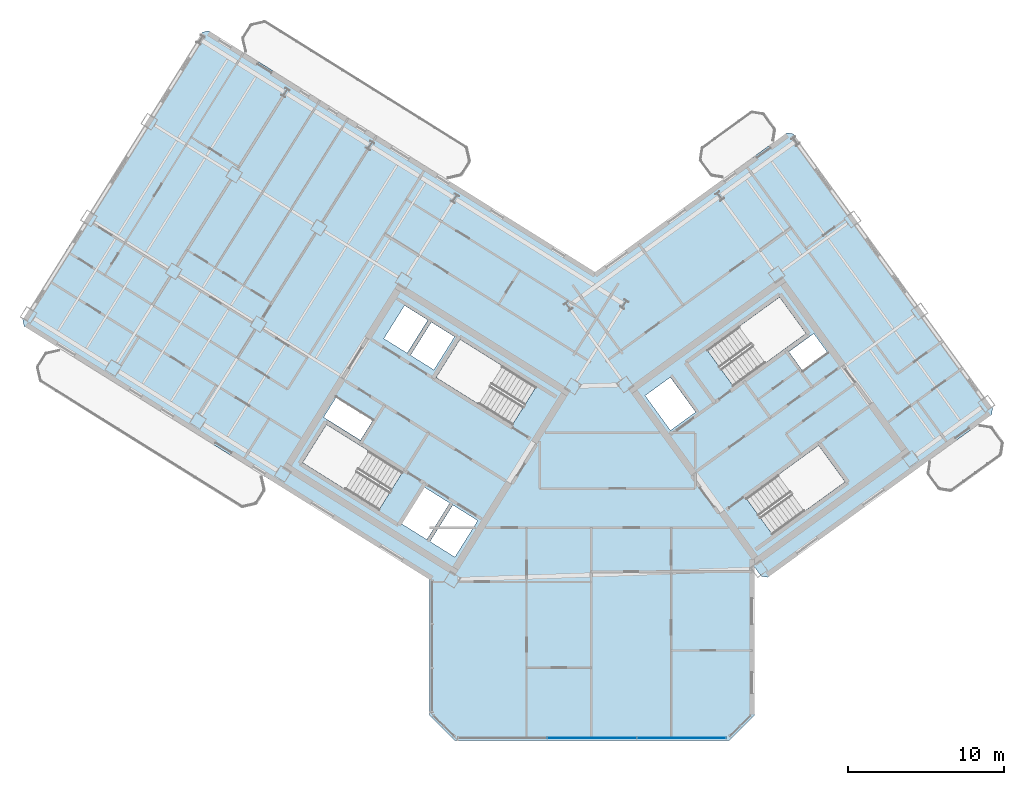
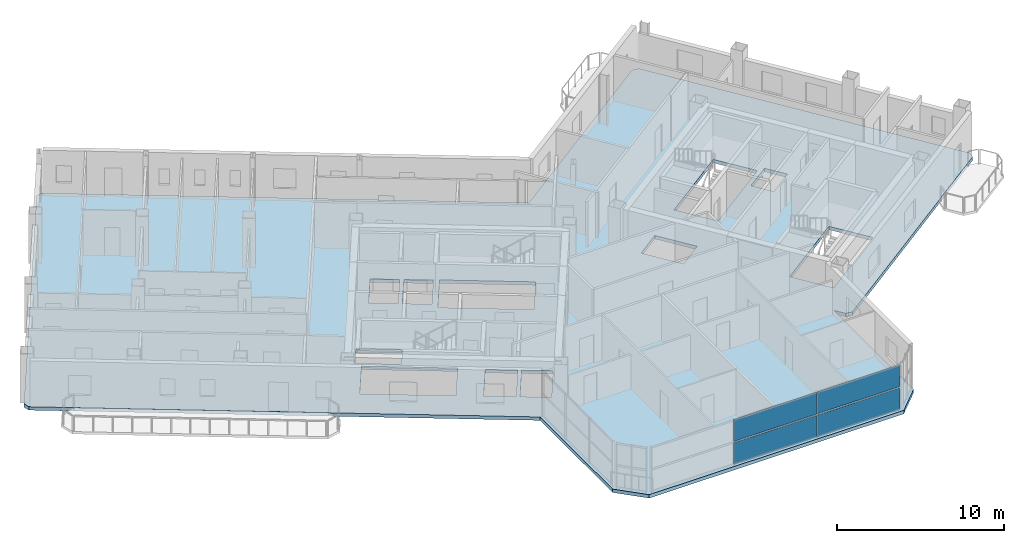
# One storey, part 9 of 20: 4 plates, 1 slab, 1 element without a shape of its own.
"""IFC4 building model written with IfcOpenShell, lengths in metres."""

from ifc_helpers import new_model, si_unit, direction, frame, origin, origin_2d, place, context, subcontext, project, spatial, polyline, rectangle, outline, extrude, source, transform, mapped, material, layer, layer_set, type_object, element, aggregate, save


model = new_model("IFC4")

# Units and contexts
model_context = context("Model", 3, precision=1e-05, world=origin(), true_north=direction((0.0, 1.0)))
body_context = subcontext(model_context, "Body", "Model", "MODEL_VIEW")
ifc_project = project(units=[si_unit("LENGTHUNIT", "METRE"), si_unit("AREAUNIT", "SQUARE_METRE"), si_unit("VOLUMEUNIT", "CUBIC_METRE"), si_unit("PLANEANGLEUNIT", "RADIAN"), si_unit("MASSUNIT", "GRAM", prefix="KILO")], contexts=[model_context])

# Site, building, storey
site_placement = place(None, origin())
site = spatial("IfcSite", under=ifc_project, at=site_placement, CompositionType="ELEMENT")
building_placement = place(site_placement, origin())
building = spatial("IfcBuilding", under=site, at=building_placement, Name="Tlacorven Tower", CompositionType="ELEMENT")
storey_placement = place(building_placement, frame((0.0, 0.0, 225.60009765625)))
storey = spatial("IfcBuildingStorey", under=building, at=storey_placement, Name="L57", CompositionType="ELEMENT", Elevation=225.60009765625)

# Slab
ifc_material_1 = material(Name="Concrete C40/50", Category="concrete")
ifc_layer_1 = layer(ifc_material_1, 0.25)
ifc_layer_set_1 = layer_set([ifc_layer_1], Name="Concrete C40/50")
slab_type = type_object("IfcSlabType", Name="SL-TWR-250", PredefinedType="FLOOR", material=ifc_layer_set_1)
slab_placement = place(storey_placement, frame((0.0, 0.0, -0.25)))
element("IfcSlab", 1, at=slab_placement, inside=storey, type_object=slab_type, Name="L57 Boomerang Tower Floor Slab", PredefinedType="FLOOR", context=body_context, shape_type="SweptSolid", body=[
    extrude(outline(polyline([(52.39990234375, 3.39990234375), (50.800048828125, 1.800048828125), (33.199951171875, 1.800048828125), (31.60009765625, 3.39990234375), (31.60009765625, 12.09423828125), (5.62451171875, 28.32568359375), (5.529052734375, 28.739013671875), (17.0390625, 47.15869140625), (17.452392578125, 47.254150390625), (42.19970703125, 31.790283203125), (54.481689453125, 40.713623046875), (54.90087890625, 40.647216796875), (67.66748046875, 23.075439453125), (67.60107421875, 22.656494140625), (53.265380859375, 12.24072265625), (52.846435546875, 12.30712890625), (52.39990234375, 12.921630859375), (52.39990234375, 3.39990234375)]), holes=[polyline([(29.865478515625, 18.979736328125), (24.9892578125, 22.02685546875), (23.463134765625, 19.58447265625), (28.33935546875, 16.537353515625), (29.865478515625, 18.979736328125)]), polyline([(38.4169921875, 24.4375), (33.540771484375, 27.484375), (32.0146484375, 25.0419921875), (36.890869140625, 21.9951171875), (38.4169921875, 24.4375)]), polyline([(51.05908203125, 24.481689453125), (55.7109375, 27.861572265625), (54.01806640625, 30.19140625), (49.3662109375, 26.811767578125), (51.05908203125, 24.481689453125)]), polyline([(53.56298828125, 14.978759765625), (58.21484375, 18.3583984375), (56.52197265625, 20.6884765625), (51.8701171875, 17.30859375), (53.56298828125, 14.978759765625)]), polyline([(34.682373046875, 15.87548828125), (33.088134765625, 16.871826171875), (31.62548828125, 14.531005859375), (33.2197265625, 13.534912109375), (34.682373046875, 15.87548828125)]), polyline([(32.884521484375, 16.9990234375), (31.2392578125, 18.02685546875), (29.77685546875, 15.686279296875), (31.421875, 14.658203125), (32.884521484375, 16.9990234375)]), polyline([(47.0234375, 21.648681640625), (48.6416015625, 22.82421875), (47.019287109375, 25.05712890625), (45.401123046875, 23.881591796875), (47.0234375, 21.648681640625)]), polyline([(33.197265625, 27.65185546875), (31.704833984375, 28.58447265625), (30.3798828125, 26.46435546875), (31.87255859375, 25.53173828125), (33.197265625, 27.65185546875)]), polyline([(31.484375, 28.722412109375), (29.99169921875, 29.655029296875), (28.6669921875, 27.534912109375), (30.159423828125, 26.602294921875), (31.484375, 28.722412109375)]), polyline([(27.96142578125, 22.2919921875), (25.603759765625, 23.76513671875), (24.80908203125, 22.4931640625), (27.16650390625, 21.02001953125), (27.96142578125, 22.2919921875)]), polyline([(55.490478515625, 25.4765625), (57.092529296875, 26.640380859375), (56.210693359375, 27.85400390625), (54.60888671875, 26.690185546875), (55.490478515625, 25.4765625)])]), origin(), (0.0, 0.0, 1.0), 0.25),
])

# Curtain wall, plates
ifc_material_2 = material(Name="Dark solar low-E double glazing in aluminium frame", Category="aluminium")
curtain_wall_type = type_object("IfcCurtainWallType", Name="CW-TWR-HIGH", PredefinedType="USERDEFINED", material=ifc_material_2)
curtain_wall_placement = place(storey_placement, origin())
curtain_wall = element("IfcCurtainWall", 2, at=curtain_wall_placement, inside=storey, type_object=curtain_wall_type, Name="L57 CW-TWR-HIGH Curtain Wall 258", ObjectType="UNITISED CURTAIN WALL", PredefinedType="USERDEFINED")
ifc_material_3 = material(Name="High-wind dark solar tempered low-E glazing", Category="glass")
ifc_layer_2 = layer(ifc_material_3, 0.028076171875)
ifc_layer_set_2 = layer_set([ifc_layer_2], Name="High-wind dark solar tempered low-E glazing")
plate_type = type_object("IfcPlateType", Name="CWP-03", PredefinedType="CURTAIN_PANEL", material=ifc_layer_set_2)
shared_shape_1 = source(origin(), body_context, "Body", "SweptSolid", [
    extrude(rectangle(XDim=5.683837890625, YDim=0.028076171875, at=origin_2d()), origin(), (0.0, 0.0, 1.0), 1.572998046875),
])
plate_1_placement = place(storey_placement, frame((47.74072265625, 1.9599609375, 0.05078125), z_axis=(0.0, 0.0, 1.0), x_axis=(-1.0, 0.0, 0.0)))
plate_1 = element("IfcPlate", 3, at=plate_1_placement, type_object=plate_type, Name="CW-L57-258 Glazing Panel 1", PredefinedType="CURTAIN_PANEL", context=body_context, shape_type="MappedRepresentation", body=[
    mapped(shared_shape_1, transform((0.0, 0.0, 0.0), scale=1.0)),
])
plate_2_placement = place(storey_placement, frame((47.74072265625, 1.9599609375, 1.72607421875), z_axis=(0.0, 0.0, 1.0), x_axis=(-1.0, 0.0, 0.0)))
plate_2 = element("IfcPlate", 4, at=plate_2_placement, type_object=plate_type, Name="CW-L57-258 Glazing Panel 2", PredefinedType="CURTAIN_PANEL", context=body_context, shape_type="MappedRepresentation", body=[
    mapped(shared_shape_1, transform((0.0, 0.0, 0.0), scale=1.0)),
])
shared_shape_2 = source(origin(), body_context, "Body", "SweptSolid", [
    extrude(rectangle(XDim=5.7138671875, YDim=0.028076171875, at=origin_2d()), origin(), (0.0, 0.0, 1.0), 1.572998046875),
])
plate_3_placement = place(storey_placement, frame((42.0, 1.9599609375, 0.05078125), z_axis=(0.0, 0.0, 1.0), x_axis=(-1.0, 0.0, 0.0)))
plate_3 = element("IfcPlate", 5, at=plate_3_placement, type_object=plate_type, Name="CW-L57-258 Glazing Panel 3", PredefinedType="CURTAIN_PANEL", context=body_context, shape_type="MappedRepresentation", body=[
    mapped(shared_shape_2, transform((0.0, 0.0, 0.0), scale=1.0)),
])
plate_4_placement = place(storey_placement, frame((42.0, 1.9599609375, 1.72607421875), z_axis=(0.0, 0.0, 1.0), x_axis=(-1.0, 0.0, 0.0)))
plate_4 = element("IfcPlate", 6, at=plate_4_placement, type_object=plate_type, Name="CW-L57-258 Glazing Panel 4", PredefinedType="CURTAIN_PANEL", context=body_context, shape_type="MappedRepresentation", body=[
    mapped(shared_shape_2, transform((0.0, 0.0, 0.0), scale=1.0)),
])
aggregate(curtain_wall, [plate_1, plate_2, plate_3, plate_4])

save(model, "model.ifc")
